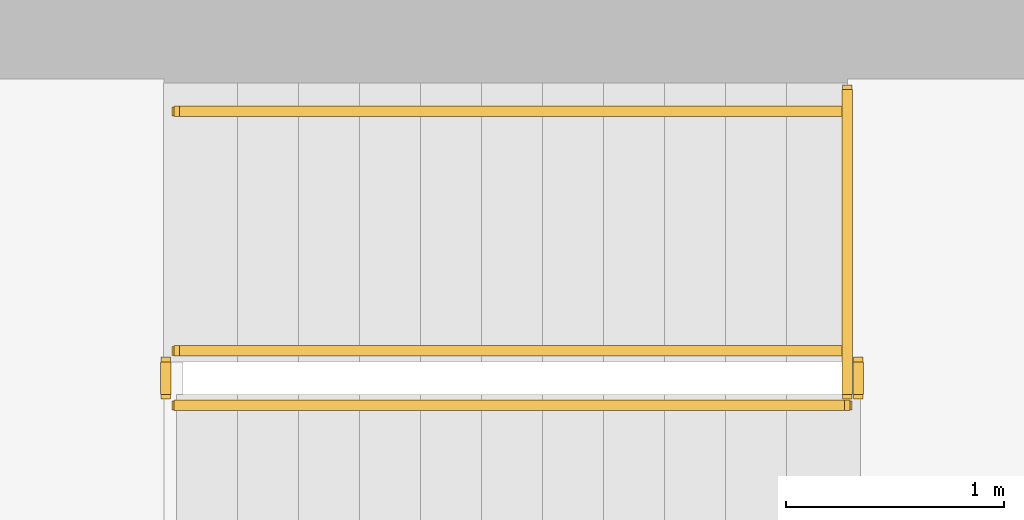
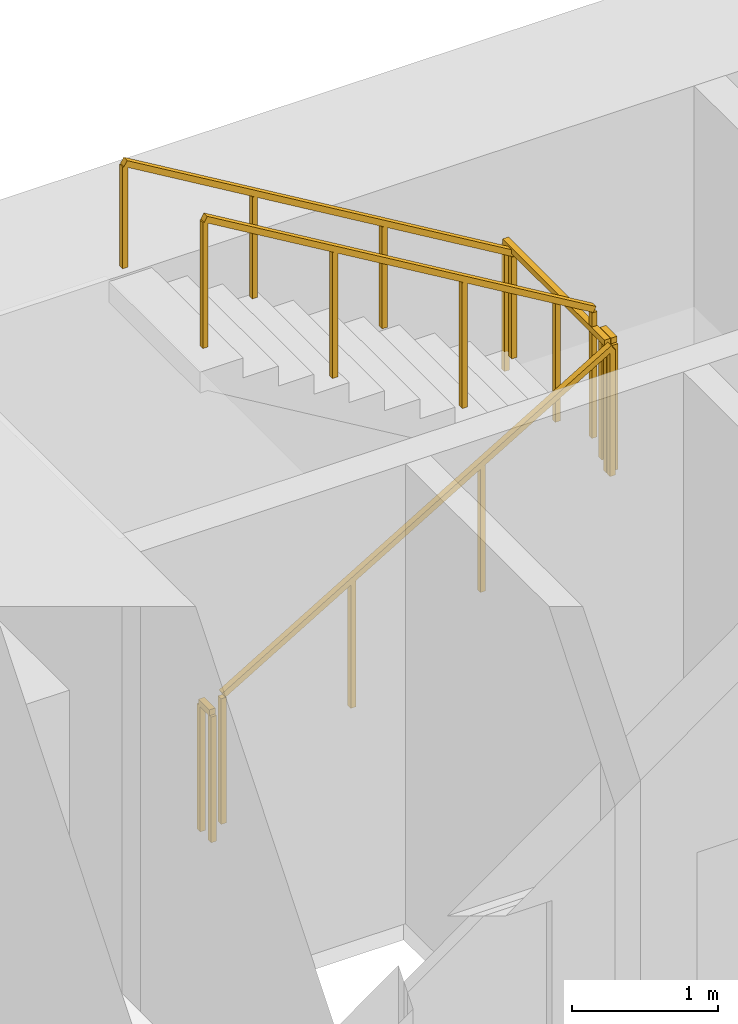
# One storey, part 14 of 15: 6 railings.
"""IFC4 building model written with IfcOpenShell, lengths in metres."""

from ifc_helpers import new_model, si_unit, direction, frame, origin, origin_2d, place, context, subcontext, project, spatial, rectangle, extrude, material, type_object, element, save


model = new_model("IFC4")

# Units and contexts
model_context = context("Model", 3, precision=1e-05, world=origin(), true_north=direction((0.0, 1.0)))
body_context = subcontext(model_context, "Body", "Model", "MODEL_VIEW")
ifc_project = project(units=[si_unit("LENGTHUNIT", "METRE"), si_unit("AREAUNIT", "SQUARE_METRE"), si_unit("VOLUMEUNIT", "CUBIC_METRE"), si_unit("PLANEANGLEUNIT", "RADIAN"), si_unit("MASSUNIT", "GRAM", prefix="KILO")], contexts=[model_context])

# Site, building, storey
site_placement = place(None, origin())
site = spatial("IfcSite", under=ifc_project, at=site_placement, CompositionType="ELEMENT")
building_placement = place(site_placement, origin())
building = spatial("IfcBuilding", under=site, at=building_placement, Name="Sennacour Bend Tower", CompositionType="ELEMENT")
storey_placement = place(building_placement, frame((0.0, 0.0, 65.0)))
storey = spatial("IfcBuildingStorey", under=building, at=storey_placement, Name="L14", CompositionType="ELEMENT", Elevation=65.0)

# Railings
ifc_material = material(Name="Stainless steel", Category="steel")
railing_type_1 = type_object("IfcRailingType", Name="RL-GUARD-1100", PredefinedType="GUARDRAIL", material=ifc_material)
railing_1_placement = place(storey_placement, frame((56.699951171875, 19.85009765625, 0.166748046875)))
element("IfcRailing", 1, at=railing_1_placement, inside=storey, type_object=railing_type_1, Name="L14 SA2 stair guard 1", PredefinedType="GUARDRAIL", context=body_context, shape_type="SweptSolid", body=[
    extrude(rectangle(XDim=0.048095703125, YDim=0.048095703125, at=origin_2d()), frame((0.0, 0.0, 1.076171875), z_axis=(0.859308565015, 0.0, 0.511457515432), x_axis=(0.0, 1.0, 0.0)), (0.0, 0.0, 1.0), 3.58447265625),
    extrude(rectangle(XDim=0.0419921875, YDim=0.0419921875, at=origin_2d()), origin(), (0.0, 0.0, 1.0), 1.052001953125),
    extrude(rectangle(XDim=0.0419921875, YDim=0.0419921875, at=origin_2d()), frame((1.026611328125, 0.0, 0.611083984375)), (0.0, 0.0, 1.0), 1.052001953125),
    extrude(rectangle(XDim=0.0419921875, YDim=0.0419921875, at=origin_2d()), frame((2.053466796875, 0.0, 1.22216796875)), (0.0, 0.0, 1.0), 1.052001953125),
    extrude(rectangle(XDim=0.0419921875, YDim=0.0419921875, at=origin_2d()), frame((3.080078125, 0.0, 1.833251953125)), (0.0, 0.0, 1.0), 1.052001953125),
])
railing_2_placement = place(storey_placement, frame((59.830078125, 19.89990234375, 2.0)))
element("IfcRailing", 2, at=railing_2_placement, inside=storey, type_object=railing_type_1, Name="L14 SA2 stair guard 2", PredefinedType="GUARDRAIL", context=body_context, shape_type="SweptSolid", body=[
    extrude(rectangle(XDim=0.048095703125, YDim=0.048095703125, at=origin_2d()), frame((0.0, 0.0, 1.076171875), z_axis=(0.0, 1.0, 0.0), x_axis=(-1.0, 0.0, 0.0)), (0.0, 0.0, 1.0), 0.150146484375),
    extrude(rectangle(XDim=0.0419921875, YDim=0.0419921875, at=origin_2d()), origin(), (0.0, 0.0, 1.0), 1.052001953125),
    extrude(rectangle(XDim=0.0419921875, YDim=0.0419921875, at=origin_2d()), frame((0.0, 0.150146484375, 0.0)), (0.0, 0.0, 1.0), 1.052001953125),
])
railing_3_placement = place(storey_placement, frame((59.780029296875, 20.10009765625, 2.166748046875)))
element("IfcRailing", 3, at=railing_3_placement, inside=storey, type_object=railing_type_1, Name="L14 SA2 stair guard 4", PredefinedType="GUARDRAIL", context=body_context, shape_type="SweptSolid", body=[
    extrude(rectangle(XDim=0.048095703125, YDim=0.048095703125, at=origin_2d()), frame((0.0, 0.0, 1.076171875), z_axis=(-0.859308565015, 0.0, 0.511457515432), x_axis=(0.0, -1.0, 0.0)), (0.0, 0.0, 1.0), 3.58447265625),
    extrude(rectangle(XDim=0.0419921875, YDim=0.0419921875, at=origin_2d()), origin(), (0.0, 0.0, 1.0), 1.052001953125),
    extrude(rectangle(XDim=0.0419921875, YDim=0.0419921875, at=origin_2d()), frame((-1.026611328125, 0.0, 0.611083984375)), (0.0, 0.0, 1.0), 1.052001953125),
    extrude(rectangle(XDim=0.0419921875, YDim=0.0419921875, at=origin_2d()), frame((-2.053466796875, 0.0, 1.22216796875)), (0.0, 0.0, 1.0), 1.052001953125),
    extrude(rectangle(XDim=0.0419921875, YDim=0.0419921875, at=origin_2d()), frame((-3.080078125, 0.0, 1.833251953125)), (0.0, 0.0, 1.0), 1.052001953125),
])
railing_4_placement = place(storey_placement, frame((56.64990234375, 19.89990234375, 0.0)))
element("IfcRailing", 4, at=railing_4_placement, inside=storey, type_object=railing_type_1, Name="L14 SA2 stair guard 5", PredefinedType="GUARDRAIL", context=body_context, shape_type="SweptSolid", body=[
    extrude(rectangle(XDim=0.048095703125, YDim=0.048095703125, at=origin_2d()), frame((0.0, 0.0, 1.076171875), z_axis=(0.0, 1.0, 0.0), x_axis=(-1.0, 0.0, 0.0)), (0.0, 0.0, 1.0), 0.150146484375),
    extrude(rectangle(XDim=0.0419921875, YDim=0.0419921875, at=origin_2d()), origin(), (0.0, 0.0, 1.0), 1.052001953125),
    extrude(rectangle(XDim=0.0419921875, YDim=0.0419921875, at=origin_2d()), frame((0.0, 0.150146484375, 0.0)), (0.0, 0.0, 1.0), 1.052001953125),
])
railing_5_placement = place(storey_placement, frame((59.780029296875, 19.89990234375, 2.0)))
element("IfcRailing", 5, at=railing_5_placement, inside=storey, type_object=railing_type_1, Name="L14 SA2 landing edge guard 25", PredefinedType="GUARDRAIL", context=body_context, shape_type="SweptSolid", body=[
    extrude(rectangle(XDim=0.048095703125, YDim=0.048095703125, at=origin_2d()), frame((0.0, 0.0, 1.076171875), z_axis=(0.0, 1.0, 0.0), x_axis=(-1.0, 0.0, 0.0)), (0.0, 0.0, 1.0), 1.400146484375),
    extrude(rectangle(XDim=0.0419921875, YDim=0.0419921875, at=origin_2d()), origin(), (0.0, 0.0, 1.0), 1.052001953125),
    extrude(rectangle(XDim=0.0419921875, YDim=0.0419921875, at=origin_2d()), frame((0.0, 0.7001953125, 0.0)), (0.0, 0.0, 1.0), 1.052001953125),
    extrude(rectangle(XDim=0.0419921875, YDim=0.0419921875, at=origin_2d()), frame((0.0, 1.400146484375, 0.0)), (0.0, 0.0, 1.0), 1.052001953125),
])
railing_type_2 = type_object("IfcRailingType", Name="RL-HANDRAIL-900", PredefinedType="HANDRAIL", material=ifc_material)
railing_6_placement = place(storey_placement, frame((59.780029296875, 21.199951171875, 2.166748046875)))
element("IfcRailing", 6, at=railing_6_placement, inside=storey, type_object=railing_type_2, Name="L14 SA2 stair handrail 2", PredefinedType="HANDRAIL", context=body_context, shape_type="SweptSolid", body=[
    extrude(rectangle(XDim=0.048095703125, YDim=0.048095703125, at=origin_2d()), frame((0.0, 0.0, 0.8759765625), z_axis=(-0.859308565015, 0.0, 0.511457515432), x_axis=(0.0, -1.0, 0.0)), (0.0, 0.0, 1.0), 3.58447265625),
    extrude(rectangle(XDim=0.0419921875, YDim=0.0419921875, at=origin_2d()), origin(), (0.0, 0.0, 1.0), 0.851806640625),
    extrude(rectangle(XDim=0.0419921875, YDim=0.0419921875, at=origin_2d()), frame((-1.026611328125, 0.0, 0.611083984375)), (0.0, 0.0, 1.0), 0.851806640625),
    extrude(rectangle(XDim=0.0419921875, YDim=0.0419921875, at=origin_2d()), frame((-2.053466796875, 0.0, 1.22216796875)), (0.0, 0.0, 1.0), 0.851806640625),
    extrude(rectangle(XDim=0.0419921875, YDim=0.0419921875, at=origin_2d()), frame((-3.080078125, 0.0, 1.833251953125)), (0.0, 0.0, 1.0), 0.851806640625),
])

save(model, "model.ifc")
